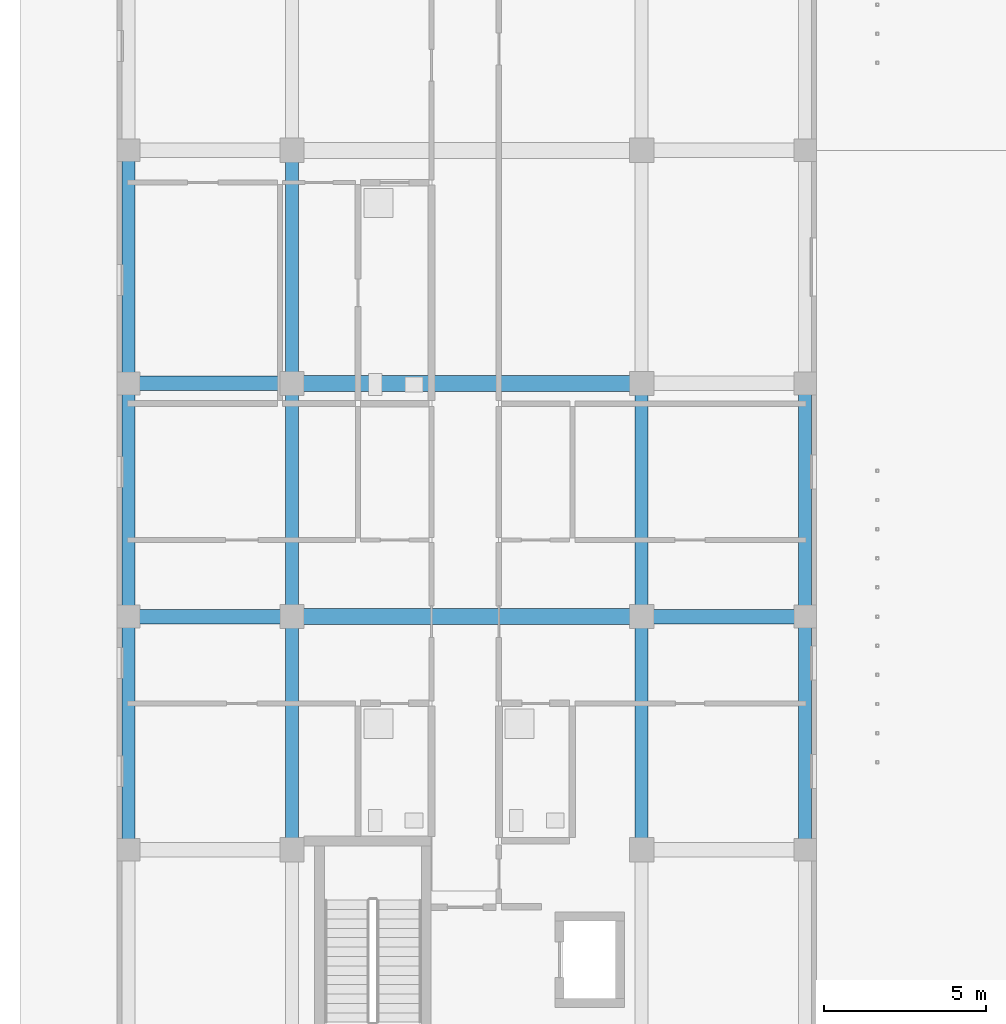
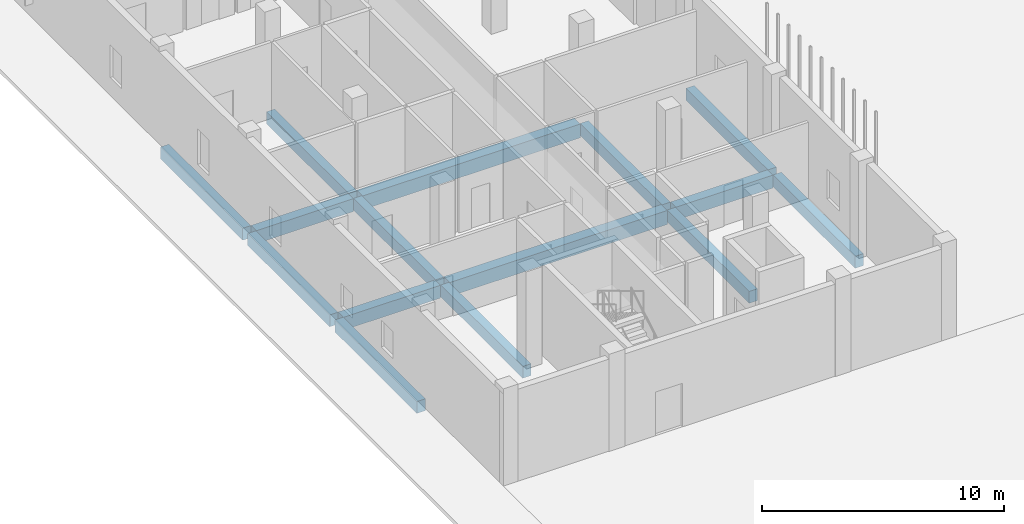
# One storey, part 15 of 85: 15 beams.
"""IFC4 building model written with IfcOpenShell, lengths in metres."""

import ifcopenshell
import ifcopenshell.guid

model = None  # the IFC model being written
_history = None  # IfcOwnerHistory: only IFC2X3 demands one
_inside = {}  # id of a spatial element -> (the spatial element, [elements in it])
_under = {}  # id of a project, library or spatial element -> (it, [spatial elements below it])
_declared = {}  # id of a project -> (the project, [libraries it declares])
_typed = {}  # id of a type object -> (the type object, [elements of that type])
_made_of = {}  # id of a material, layer set ... -> (it, [elements and type objects made of it])


def new_model(schema):
    """Start an empty IFC model of exactly this schema.

    Asked for "IFC4X3", IfcOpenShell would pick the latest addendum, in which some entities
    have other attributes; the version numbers below select the first issue.
    IFC2X3 requires an IfcOwnerHistory on every rooted entity: one is made here for all.
    """
    global model, _history
    if schema == "IFC4X3":
        model = ifcopenshell.file(schema_version=(4, 3, 0, 0))
    else:
        model = ifcopenshell.file(schema=schema)
    _inside.clear()
    _under.clear()
    _declared.clear()
    _typed.clear()
    _made_of.clear()
    _history = None
    if model.schema == "IFC2X3":
        org = make("IfcOrganization", Name="unknown")
        user = make(
            "IfcPersonAndOrganization",
            ThePerson=make("IfcPerson", FamilyName="unknown"),
            TheOrganization=org,
        )
        app = make(
            "IfcApplication",
            ApplicationDeveloper=org,
            Version="unknown",
            ApplicationFullName="unknown",
            ApplicationIdentifier="unknown",
        )
        _history = make(
            "IfcOwnerHistory",
            OwningUser=user,
            OwningApplication=app,
            ChangeAction="ADDED",
            CreationDate=0,
        )
    return model


def make(cls, **values):
    """One entity of the class cls with the attributes given. An attribute that is None is left unset."""
    return model.create_entity(
        cls, **{name: value for name, value in values.items() if value is not None}
    )


def rooted(cls, **values):
    """An entity with a GlobalId (a new one), such as an element, a storey or a relation."""
    return make(cls, GlobalId=ifcopenshell.guid.new(), OwnerHistory=_history, **values)


def si_unit(unit_type, name, prefix=None):
    """IfcSIUnit, for example si_unit("LENGTHUNIT", "METRE", prefix="MILLI")."""
    return make("IfcSIUnit", UnitType=unit_type, Prefix=prefix, Name=name)


def derived_unit(unit_type, elements):
    """IfcDerivedUnit: a product of units, each with its exponent."""
    return make(
        "IfcDerivedUnit",
        Elements=[
            make("IfcDerivedUnitElement", Unit=unit, Exponent=power)
            for unit, power in elements
        ],
        UnitType=unit_type,
    )


def assignment(units):
    """IfcUnitAssignment: the units of a project."""
    return None if units is None else make("IfcUnitAssignment", Units=units)


def point(xyz):
    """IfcCartesianPoint."""
    return None if xyz is None else make("IfcCartesianPoint", Coordinates=xyz)


def direction(xyz):
    """IfcDirection."""
    return None if xyz is None else make("IfcDirection", DirectionRatios=xyz)


def frame(location, z_axis=None, x_axis=None):
    """IfcAxis2Placement3D, a coordinate frame: its origin and axes. An axis left out is left unset."""
    return make(
        "IfcAxis2Placement3D",
        Location=point(location),
        Axis=direction(z_axis),
        RefDirection=direction(x_axis),
    )


def frame_2d(location, x_axis=None):
    """IfcAxis2Placement2D, a coordinate frame in the plane: its origin and x axis."""
    return make(
        "IfcAxis2Placement2D", Location=point(location), RefDirection=direction(x_axis)
    )


def origin():
    """The frame at (0, 0, 0) with its axes left unset."""
    return frame((0.0, 0.0, 0.0))


def origin_2d():
    """The frame at (0, 0) in the plane with its x axis left unset."""
    return frame_2d((0.0, 0.0))


def place(relative_to, where):
    """IfcLocalPlacement: puts the frame where relative to a parent placement (None: the world)."""
    return make(
        "IfcLocalPlacement", PlacementRelTo=relative_to, RelativePlacement=where
    )


def context(
    kind, dimensions, precision=None, world=None, true_north=None, identifier=None
):
    """IfcGeometricRepresentationContext, for example the 3D "Model" context."""
    return make(
        "IfcGeometricRepresentationContext",
        ContextIdentifier=identifier,
        ContextType=kind,
        CoordinateSpaceDimension=dimensions,
        Precision=precision,
        WorldCoordinateSystem=world,
        TrueNorth=true_north,
    )


def subcontext(parent, identifier, kind, view, scale=None):
    """IfcGeometricRepresentationSubContext, for example "Body" below "Model"."""
    return make(
        "IfcGeometricRepresentationSubContext",
        ContextIdentifier=identifier,
        ContextType=kind,
        ParentContext=parent,
        TargetScale=scale,
        TargetView=view,
    )


def project(units=None, contexts=None):
    """IfcProject with its units and contexts."""
    return rooted(
        "IfcProject",
        Name="project",
        RepresentationContexts=contexts,
        UnitsInContext=assignment(units),
    )


def spatial(cls, under=None, at=None, **own):
    """A site, building, storey or space (cls), placed at a placement, below another one or the project."""
    s = rooted(cls, ObjectPlacement=at, **own)
    if under is not None:
        _under.setdefault(under.id(), (under, []))[1].append(s)
    return s


def profile(cls, at=None, kind="AREA", **sizes):
    """A parametric profile (cls). Its sizes go by their IFC names, for example OverallWidth=200.0."""
    return make(cls, ProfileType=kind, Position=at, **sizes)


def rectangle(**sizes):
    """IfcRectangleProfileDef."""
    return profile("IfcRectangleProfileDef", **sizes)


def extrude(swept, where, along, depth):
    """IfcExtrudedAreaSolid: the profile swept, set in the frame where, extruded along a direction by depth."""
    return make(
        "IfcExtrudedAreaSolid",
        SweptArea=swept,
        Position=where,
        ExtrudedDirection=direction(along),
        Depth=depth,
    )


def shape(context_of_items, identifier, shape_type, items):
    """IfcShapeRepresentation: the items that make up one representation, for example the "Body"."""
    return make(
        "IfcShapeRepresentation",
        ContextOfItems=context_of_items,
        RepresentationIdentifier=identifier,
        RepresentationType=shape_type,
        Items=items,
    )


def material(Name=None, Category=None):
    """IfcMaterial."""
    return make("IfcMaterial", Name=Name, Category=Category)


def material_profile(
    of_material, cross_section, Name=None, Category=None, Priority=None
):
    """IfcMaterialProfile: a cross section and its material."""
    return make(
        "IfcMaterialProfile",
        Name=Name,
        Material=of_material,
        Profile=cross_section,
        Priority=Priority,
        Category=Category,
    )


def profile_set(profiles, Name=None, composite=None):
    """IfcMaterialProfileSet."""
    return make(
        "IfcMaterialProfileSet",
        Name=Name,
        MaterialProfiles=profiles,
        CompositeProfile=composite,
    )


def made_of(thing, what):
    """Note that an element or type object is made of a material, layer set ...; save() writes the relation."""
    if what is not None:
        _made_of.setdefault(what.id(), (what, []))[1].append(thing)
    return thing


def type_object(cls, material=None, **own):
    """A type object (cls), such as IfcWallType, which elements share."""
    return made_of(rooted(cls, **own), material)


def element(
    cls,
    number,
    at=None,
    inside=None,
    cuts=None,
    type_object=None,
    material=None,
    context=None,
    identifier="Body",
    shape_type=None,
    held_by="IfcProductDefinitionShape",
    body=None,
    shapes=None,
    **own,
):
    """One element of the class cls, such as IfcWall. Its Tag is "e" and its number.

    at: its placement. inside: the storey or other place that contains it. cuts: it is an
    opening in that element (IfcRelVoidsElement). A single representation is given by context,
    identifier, shape_type and body (its items); several are given by shapes. held_by: the class
    of the entity that holds the representations. save() writes the other relations.
    """
    e = rooted(cls, Tag="e%d" % number, ObjectPlacement=at, **own)
    if body is not None:
        shapes = [shape(context, identifier, shape_type, body)]
    if shapes is not None:
        e.Representation = make(held_by, Representations=shapes)
    if inside is not None:
        _inside.setdefault(inside.id(), (inside, []))[1].append(e)
    if cuts is not None:
        rooted(
            "IfcRelVoidsElement", RelatingBuildingElement=cuts, RelatedOpeningElement=e
        )
    if type_object is not None:
        _typed.setdefault(type_object.id(), (type_object, []))[1].append(e)
    return made_of(e, material)


def aggregate(whole, parts):
    """IfcRelAggregates: a whole, such as a stair, and the parts it consists of."""
    return rooted("IfcRelAggregates", RelatingObject=whole, RelatedObjects=parts)


def save(model, path):
    """Write the relations noted so far, then the file.

    IfcRelAggregates (storeys below a building ...), IfcRelContainedInSpatialStructure (elements
    in a storey), IfcRelDefinesByType, IfcRelAssociatesMaterial and IfcRelDeclares: one each for
    every whole, place, type object, material and project.
    """
    for whole, parts in _under.values():
        aggregate(whole, parts)
    for where, things in _inside.values():
        rooted(
            "IfcRelContainedInSpatialStructure",
            RelatedElements=things,
            RelatingStructure=where,
        )
    for kind, things in _typed.values():
        rooted("IfcRelDefinesByType", RelatedObjects=things, RelatingType=kind)
    for what, things in _made_of.values():
        rooted("IfcRelAssociatesMaterial", RelatedObjects=things, RelatingMaterial=what)
    for by, libraries in _declared.values():
        rooted("IfcRelDeclares", RelatingContext=by, RelatedDefinitions=libraries)
    model.write(path)


model = new_model("IFC4")

# Units and contexts
model_context = context("Model", 3, precision=1e-05, world=origin(), true_north=direction((0.0, 1.0)))
body_context = subcontext(model_context, "Body", "Model", "MODEL_VIEW")
ifc_project = project(units=[si_unit("LENGTHUNIT", "METRE"), si_unit("AREAUNIT", "SQUARE_METRE"), si_unit("VOLUMEUNIT", "CUBIC_METRE"), si_unit("PLANEANGLEUNIT", "RADIAN"), si_unit("MASSUNIT", "GRAM", prefix="KILO"), derived_unit("THERMALTRANSMITTANCEUNIT", [(si_unit("MASSUNIT", "GRAM", prefix="KILO"), 1), (si_unit("TIMEUNIT", "SECOND"), -3), (si_unit("THERMODYNAMICTEMPERATUREUNIT", "KELVIN"), -1)])], contexts=[model_context])

# Site, building, storey
site_placement = place(None, origin())
site = spatial("IfcSite", under=ifc_project, at=site_placement, CompositionType="ELEMENT")
building_placement = place(site_placement, origin())
building = spatial("IfcBuilding", under=site, at=building_placement, Name="Ochrekiln Boulevard Commons", CompositionType="ELEMENT")
storey_placement = place(building_placement, origin())
storey = spatial("IfcBuildingStorey", under=building, at=storey_placement, Name="L00", CompositionType="ELEMENT", Elevation=0.0)

# Beams
ifc_material_1 = material(Name="Concrete C35/45", Category="concrete")
ifc_material_profile_1 = material_profile(ifc_material_1, rectangle(XDim=0.39990234375, YDim=0.60009765625, at=origin_2d()), Name="RC-BM-400x600")
ifc_profile_set_1 = profile_set([ifc_material_profile_1], Name="Concrete C35/45")
beam_type_1 = type_object("IfcBeamType", Name="BM-RC-400x600", PredefinedType="BEAM", material=ifc_profile_set_1)
for number, where, z_axis, x_axis, name in (
    (1, (0.35009765625, 75.81005859375, -0.580078125), (0.0, 1.0, 0.0), (-1.0, 0.0, 0.0), "Block A L00 Beam B-4060 Y24"),
    (2, (0.35009765625, 83.010009765625, -0.580078125), (0.0, 1.0, 0.0), (-1.0, 0.0, 0.0), "Block A L00 Beam B-4060 Y25"),
    (3, (0.35009765625, 90.2099609375, -0.580078125), (0.0, 1.0, 0.0), (-1.0, 0.0, 0.0), "Block A L00 Beam B-4060 Y26"),
    (4, (5.39990234375, 75.81005859375, -0.580078125), (0.0, 1.0, 0.0), (-1.0, 0.0, 0.0), "Block A L00 Beam B-4060 Y31"),
    (5, (5.39990234375, 83.010009765625, -0.580078125), (0.0, 1.0, 0.0), (-1.0, 0.0, 0.0), "Block A L00 Beam B-4060 Y32"),
    (6, (5.39990234375, 90.2099609375, -0.580078125), (0.0, 1.0, 0.0), (-1.0, 0.0, 0.0), "Block A L00 Beam B-4060 Y33"),
    (7, (16.199951171875, 75.81005859375, -0.580078125), (0.0, 1.0, 0.0), (-1.0, 0.0, 0.0), "Block A L00 Beam B-4060 Y38"),
    (8, (16.199951171875, 83.010009765625, -0.580078125), (0.0, 1.0, 0.0), (-1.0, 0.0, 0.0), "Block A L00 Beam B-4060 Y39"),
    (9, (21.25, 75.81005859375, -0.580078125), (0.0, 1.0, 0.0), (-1.0, 0.0, 0.0), "Block A L00 Beam B-4060 Y45"),
    (10, (21.25, 83.010009765625, -0.580078125), (0.0, 1.0, 0.0), (-1.0, 0.0, 0.0), "Block A L00 Beam B-4060 Y46"),
):
    element("IfcBeam", number, at=place(storey_placement, frame(where, z_axis=z_axis, x_axis=x_axis)), inside=storey, type_object=beam_type_1, Name=name, PredefinedType="BEAM", context=body_context, shape_type="SweptSolid", body=[
        extrude(rectangle(XDim=0.39990234375, YDim=0.60009765625, at=origin_2d()), origin(), (0.0, 0.0, 1.0), 6.780029296875),
    ])
ifc_material_profile_2 = material_profile(ifc_material_1, rectangle(XDim=0.449951171875, YDim=0.64990234375, at=origin_2d()), Name="RC-BM-450x650")
ifc_profile_set_2 = profile_set([ifc_material_profile_2], Name="Concrete C35/45")
beam_type_2 = type_object("IfcBeamType", Name="BM-RC-450x650", PredefinedType="BEAM", material=ifc_profile_set_2)
beam_1_placement = place(storey_placement, frame((0.56005859375, 82.800048828125, -0.60498046875), z_axis=(1.0, 0.0, 0.0), x_axis=(0.0, 1.0, 0.0)))
element("IfcBeam", 11, at=beam_1_placement, inside=storey, type_object=beam_type_2, Name="Block A L00 Beam B-4565 X6", PredefinedType="BEAM", context=body_context, shape_type="SweptSolid", body=[
    extrude(rectangle(XDim=0.449951171875, YDim=0.64990234375, at=origin_2d()), origin(), (0.0, 0.0, 1.0), 4.6298828125),
])
beam_2_placement = place(storey_placement, frame((16.409912109375, 82.800048828125, -0.60498046875), z_axis=(1.0, 0.0, 0.0), x_axis=(0.0, 1.0, 0.0)))
element("IfcBeam", 12, at=beam_2_placement, inside=storey, type_object=beam_type_2, Name="Block A L00 Beam B-4565 X8", PredefinedType="BEAM", context=body_context, shape_type="SweptSolid", body=[
    extrude(rectangle(XDim=0.449951171875, YDim=0.64990234375, at=origin_2d()), origin(), (0.0, 0.0, 1.0), 4.630126953125),
])
beam_3_placement = place(storey_placement, frame((0.56005859375, 90.0, -0.60498046875), z_axis=(1.0, 0.0, 0.0), x_axis=(0.0, 1.0, 0.0)))
element("IfcBeam", 13, at=beam_3_placement, inside=storey, type_object=beam_type_2, Name="Block A L00 Beam B-4565 X9", PredefinedType="BEAM", context=body_context, shape_type="SweptSolid", body=[
    extrude(rectangle(XDim=0.449951171875, YDim=0.64990234375, at=origin_2d()), origin(), (0.0, 0.0, 1.0), 4.6298828125),
])
ifc_material_2 = material(Name="Concrete C40/50", Category="concrete")
ifc_material_profile_3 = material_profile(ifc_material_2, rectangle(XDim=0.5, YDim=0.699951171875, at=origin_2d()), Name="RC-BM-500x700")
ifc_profile_set_3 = profile_set([ifc_material_profile_3], Name="Concrete C40/50")
beam_type_3 = type_object("IfcBeamType", Name="BM-RC-500x700", PredefinedType="BEAM", material=ifc_profile_set_3)
for number, where, z_axis, x_axis, name in (
    (14, (5.610107421875, 82.800048828125, -0.6298828125), (1.0, 0.0, 0.0), (0.0, 1.0, 0.0), "Block A L00 Beam B-5070 X7"),
    (15, (5.610107421875, 90.0, -0.6298828125), (1.0, 0.0, 0.0), (0.0, 1.0, 0.0), "Block A L00 Beam B-5070 X10"),
):
    element("IfcBeam", number, at=place(storey_placement, frame(where, z_axis=z_axis, x_axis=x_axis)), inside=storey, type_object=beam_type_3, Name=name, PredefinedType="BEAM", context=body_context, shape_type="SweptSolid", body=[
        extrude(rectangle(XDim=0.5, YDim=0.699951171875, at=origin_2d()), origin(), (0.0, 0.0, 1.0), 10.3798828125),
    ])

save(model, "model.ifc")
